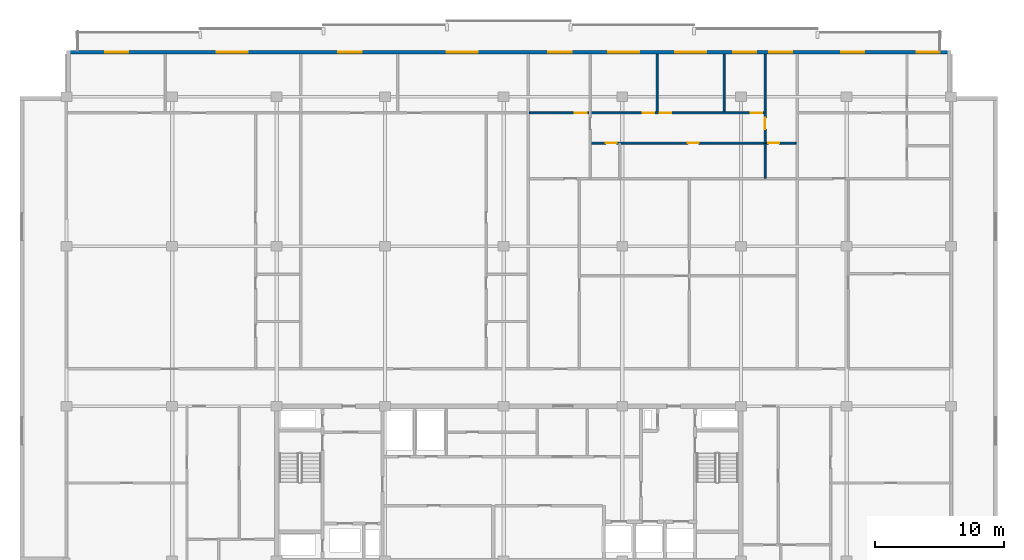
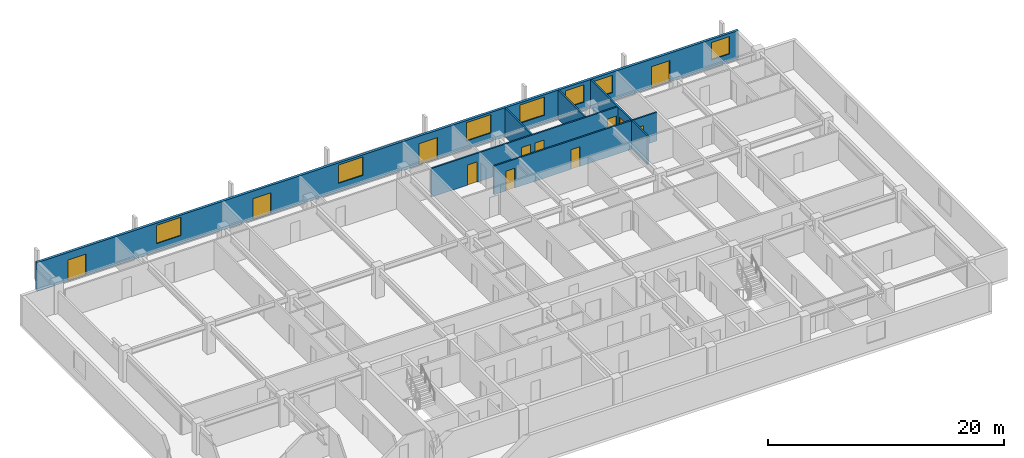
# One storey, part 15 of 22: 12 doors, 7 walls, 7 windows, 19 openings.
"""IFC4 building model written with IfcOpenShell, lengths in metres."""

from ifc_helpers import new_model, si_unit, direction, frame, frame_2d, origin, place, context, subcontext, project, spatial, rectangle, extrude, material, layer, layer_set, type_object, element, fill, save


model = new_model("IFC4")

# Units and contexts
model_context = context("Model", 3, precision=1e-05, world=origin(), true_north=direction((0.0, 1.0)))
body_context = subcontext(model_context, "Body", "Model", "MODEL_VIEW")
ifc_project = project(units=[si_unit("LENGTHUNIT", "METRE"), si_unit("AREAUNIT", "SQUARE_METRE"), si_unit("VOLUMEUNIT", "CUBIC_METRE"), si_unit("PLANEANGLEUNIT", "RADIAN"), si_unit("MASSUNIT", "GRAM", prefix="KILO")], contexts=[model_context])

# Site, building, storey
site_placement = place(None, origin())
site = spatial("IfcSite", under=ifc_project, at=site_placement, CompositionType="ELEMENT")
building_placement = place(site_placement, origin())
building = spatial("IfcBuilding", under=site, at=building_placement, Name="Korimba Cascade Residences", CompositionType="ELEMENT")
storey_placement = place(building_placement, frame((0.0, 0.0, 194.60009765625)))
storey = spatial("IfcBuildingStorey", under=building, at=storey_placement, Name="L56", CompositionType="ELEMENT", Elevation=194.60009765625)

# Wall, openings, doors, windows
ifc_material_1 = material(Name="Precast concrete C40/50", Category="concrete")
ifc_layer_1 = layer(ifc_material_1, 0.25)
ifc_layer_set_1 = layer_set([ifc_layer_1], Name="Precast concrete C40/50")
wall_type_1 = type_object("IfcWallType", Name="EW-LOG-250", PredefinedType="STANDARD", material=ifc_layer_set_1)
wall_1_placement = place(storey_placement, frame((128.39990234375, 94.64990234375, 0.0), z_axis=(0.0, 0.0, 1.0), x_axis=(-1.0, 0.0, 0.0)))
wall_1 = element("IfcWall", 1, at=wall_1_placement, inside=storey, type_object=wall_type_1, Name="L56 T1 Perimeter Stone Wall E06", PredefinedType="STANDARD", context=body_context, shape_type="SweptSolid", body=[
    extrude(rectangle(XDim=68.599853515625, YDim=0.25, at=frame_2d((34.2998046875, 0.0))), origin(), (0.0, 0.0, 1.0), 2.969970703125),
])
opening_1_placement = place(wall_1_placement, frame((63.807861328125, 0.0, 0.0)))
opening_1 = element("IfcOpeningElement", 2, at=opening_1_placement, cuts=wall_1, Name="Opening D-LG1", PredefinedType="OPENING", context=body_context, shape_type="SweptSolid", body=[
    extrude(rectangle(XDim=1.800048828125, YDim=2.199951171875, at=frame_2d((0.89990234375, 1.10009765625))), frame((0.0, 0.135009765625, 0.0), z_axis=(0.0, -1.0, 0.0), x_axis=(1.0, 0.0, 0.0)), (0.0, 0.0, 1.0), 0.27001953125),
])
opening_2_placement = place(wall_1_placement, frame((54.5439453125, 0.0, 0.85009765625)))
opening_2 = element("IfcOpeningElement", 3, at=opening_2_placement, cuts=wall_1, Name="Opening W-01", PredefinedType="OPENING", context=body_context, shape_type="SweptSolid", body=[
    extrude(rectangle(XDim=2.39990234375, YDim=1.89990234375, at=frame_2d((1.199951171875, 0.949951171875))), frame((0.0, 0.135009765625, 0.0), z_axis=(0.0, -1.0, 0.0), x_axis=(1.0, 0.0, 0.0)), (0.0, 0.0, 1.0), 0.27001953125),
])
opening_3_placement = place(wall_1_placement, frame((45.71337890625, 0.0, 0.0)))
opening_3 = element("IfcOpeningElement", 4, at=opening_3_placement, cuts=wall_1, Name="Opening D-LG1", PredefinedType="OPENING", context=body_context, shape_type="SweptSolid", body=[
    extrude(rectangle(XDim=1.800048828125, YDim=2.199951171875, at=frame_2d((0.89990234375, 1.10009765625))), frame((0.0, 0.135009765625, 0.0), z_axis=(0.0, -1.0, 0.0), x_axis=(1.0, 0.0, 0.0)), (0.0, 0.0, 1.0), 0.27001953125),
])
opening_4_placement = place(wall_1_placement, frame((36.7119140625, 0.0, 0.85009765625)))
opening_4 = element("IfcOpeningElement", 5, at=opening_4_placement, cuts=wall_1, Name="Opening W-01", PredefinedType="OPENING", context=body_context, shape_type="SweptSolid", body=[
    extrude(rectangle(XDim=2.39990234375, YDim=1.89990234375, at=frame_2d((1.199951171875, 0.949951171875))), frame((0.0, 0.135009765625, 0.0), z_axis=(0.0, -1.0, 0.0), x_axis=(1.0, 0.0, 0.0)), (0.0, 0.0, 1.0), 0.27001953125),
])
opening_5_placement = place(wall_1_placement, frame((24.198486328125, 0.0, 0.85009765625)))
opening_5 = element("IfcOpeningElement", 6, at=opening_5_placement, cuts=wall_1, Name="Opening W-01", PredefinedType="OPENING", context=body_context, shape_type="SweptSolid", body=[
    extrude(rectangle(XDim=2.39990234375, YDim=1.89990234375, at=frame_2d((1.199951171875, 0.949951171875))), frame((0.0, 0.135009765625, 0.0), z_axis=(0.0, -1.0, 0.0), x_axis=(1.0, 0.0, 0.0)), (0.0, 0.0, 1.0), 0.27001953125),
])
opening_6_placement = place(wall_1_placement, frame((18.99853515625, 0.0, 0.85009765625)))
opening_6 = element("IfcOpeningElement", 7, at=opening_6_placement, cuts=wall_1, Name="Opening W-01", PredefinedType="OPENING", context=body_context, shape_type="SweptSolid", body=[
    extrude(rectangle(XDim=2.39990234375, YDim=1.89990234375, at=frame_2d((1.199951171875, 0.949951171875))), frame((0.0, 0.135009765625, 0.0), z_axis=(0.0, -1.0, 0.0), x_axis=(1.0, 0.0, 0.0)), (0.0, 0.0, 1.0), 0.27001953125),
])
opening_7_placement = place(wall_1_placement, frame((15.109375, 0.0, 0.85009765625)))
opening_7 = element("IfcOpeningElement", 8, at=opening_7_placement, cuts=wall_1, Name="Opening W-02", PredefinedType="OPENING", context=body_context, shape_type="SweptSolid", body=[
    extrude(rectangle(XDim=1.800048828125, YDim=1.800048828125, at=frame_2d((0.89990234375, 0.89990234375))), frame((0.0, 0.135009765625, 0.0), z_axis=(0.0, -1.0, 0.0), x_axis=(1.0, 0.0, 0.0)), (0.0, 0.0, 1.0), 0.27001953125),
])
opening_8_placement = place(wall_1_placement, frame((29.43359375, 0.0, 0.0)))
opening_8 = element("IfcOpeningElement", 9, at=opening_8_placement, cuts=wall_1, Name="Opening D-LG1", PredefinedType="OPENING", context=body_context, shape_type="SweptSolid", body=[
    extrude(rectangle(XDim=1.800048828125, YDim=2.199951171875, at=frame_2d((0.89990234375, 1.10009765625))), frame((0.0, 0.135009765625, 0.0), z_axis=(0.0, -1.0, 0.0), x_axis=(1.0, 0.0, 0.0)), (0.0, 0.0, 1.0), 0.27001953125),
])
opening_9_placement = place(wall_1_placement, frame((12.31884765625, 0.0, 0.85009765625)))
opening_9 = element("IfcOpeningElement", 10, at=opening_9_placement, cuts=wall_1, Name="Opening W-02", PredefinedType="OPENING", context=body_context, shape_type="SweptSolid", body=[
    extrude(rectangle(XDim=1.800048828125, YDim=1.800048828125, at=frame_2d((0.89990234375, 0.89990234375))), frame((0.0, 0.135009765625, 0.0), z_axis=(0.0, -1.0, 0.0), x_axis=(1.0, 0.0, 0.0)), (0.0, 0.0, 1.0), 0.27001953125),
])
opening_10_placement = place(wall_1_placement, frame((6.723876953125, 0.0, 0.0)))
opening_10 = element("IfcOpeningElement", 11, at=opening_10_placement, cuts=wall_1, Name="Opening D-LG1", PredefinedType="OPENING", context=body_context, shape_type="SweptSolid", body=[
    extrude(rectangle(XDim=1.800048828125, YDim=2.199951171875, at=frame_2d((0.89990234375, 1.10009765625))), frame((0.0, 0.135009765625, 0.0), z_axis=(0.0, -1.0, 0.0), x_axis=(1.0, 0.0, 0.0)), (0.0, 0.0, 1.0), 0.27001953125),
])
opening_11_placement = place(wall_1_placement, frame((0.8701171875, 0.0, 0.85009765625)))
opening_11 = element("IfcOpeningElement", 12, at=opening_11_placement, cuts=wall_1, Name="Opening W-02", PredefinedType="OPENING", context=body_context, shape_type="SweptSolid", body=[
    extrude(rectangle(XDim=1.800048828125, YDim=1.800048828125, at=frame_2d((0.89990234375, 0.89990234375))), frame((0.0, 0.135009765625, 0.0), z_axis=(0.0, -1.0, 0.0), x_axis=(1.0, 0.0, 0.0)), (0.0, 0.0, 1.0), 0.27001953125),
])
ifc_material_2 = material(Name="Glazed Aluminium Loggia Sliding Door", Category="aluminium")
door_type_1 = type_object("IfcDoorType", Name="DR-EXT-LOG", OperationType="NOTDEFINED", PredefinedType="DOOR", material=ifc_material_2)
door_1_placement = place(opening_1_placement, origin())
door_1 = element("IfcDoor", 13, at=door_1_placement, inside=storey, type_object=door_type_1, Name="L56 T1 Loggia Sliding Door 3", OperationType="SLIDING_TO_LEFT", OverallHeight=2.199951171875, OverallWidth=1.800048828125, PredefinedType="DOOR", context=body_context, shape_type="SweptSolid", body=[
    extrude(rectangle(XDim=1.800048828125, YDim=2.199951171875, at=frame_2d((0.89990234375, 1.10009765625))), frame((0.0, 0.02490234375, 0.0), z_axis=(0.0, -1.0, 0.0), x_axis=(1.0, 0.0, 0.0)), (0.0, 0.0, 1.0), 0.050048828125),
])
fill(opening_1, door_1)
door_2_placement = place(opening_3_placement, origin())
door_2 = element("IfcDoor", 14, at=door_2_placement, inside=storey, type_object=door_type_1, Name="L56 T1 Loggia Sliding Door 5", OperationType="SLIDING_TO_LEFT", OverallHeight=2.199951171875, OverallWidth=1.800048828125, PredefinedType="DOOR", context=body_context, shape_type="SweptSolid", body=[
    extrude(rectangle(XDim=1.800048828125, YDim=2.199951171875, at=frame_2d((0.89990234375, 1.10009765625))), frame((0.0, 0.02490234375, 0.0), z_axis=(0.0, -1.0, 0.0), x_axis=(1.0, 0.0, 0.0)), (0.0, 0.0, 1.0), 0.050048828125),
])
fill(opening_3, door_2)
door_3_placement = place(opening_8_placement, origin())
door_3 = element("IfcDoor", 15, at=door_3_placement, inside=storey, type_object=door_type_1, Name="L56 T1 Loggia Sliding Door 10", OperationType="SLIDING_TO_LEFT", OverallHeight=2.199951171875, OverallWidth=1.800048828125, PredefinedType="DOOR", context=body_context, shape_type="SweptSolid", body=[
    extrude(rectangle(XDim=1.800048828125, YDim=2.199951171875, at=frame_2d((0.89990234375, 1.10009765625))), frame((0.0, 0.02490234375, 0.0), z_axis=(0.0, -1.0, 0.0), x_axis=(1.0, 0.0, 0.0)), (0.0, 0.0, 1.0), 0.050048828125),
])
fill(opening_8, door_3)
door_4_placement = place(opening_10_placement, origin())
door_4 = element("IfcDoor", 16, at=door_4_placement, inside=storey, type_object=door_type_1, Name="L56 T1 Loggia Sliding Door 12", OperationType="SLIDING_TO_LEFT", OverallHeight=2.199951171875, OverallWidth=1.800048828125, PredefinedType="DOOR", context=body_context, shape_type="SweptSolid", body=[
    extrude(rectangle(XDim=1.800048828125, YDim=2.199951171875, at=frame_2d((0.89990234375, 1.10009765625))), frame((0.0, 0.02490234375, 0.0), z_axis=(0.0, -1.0, 0.0), x_axis=(1.0, 0.0, 0.0)), (0.0, 0.0, 1.0), 0.050048828125),
])
fill(opening_10, door_4)
ifc_material_3 = material(Name="Double-Glazed Aluminium Window", Category="aluminium")
window_type_1 = type_object("IfcWindowType", Name="WIN-BED-1800", PartitioningType="SINGLE_PANEL", PredefinedType="WINDOW", material=ifc_material_3)
window_1_placement = place(opening_7_placement, origin())
window_1 = element("IfcWindow", 17, at=window_1_placement, inside=storey, type_object=window_type_1, Name="L56 T1 North Facade Window 9", OverallHeight=1.800048828125, OverallWidth=1.800048828125, PartitioningType="SINGLE_PANEL", PredefinedType="WINDOW", context=body_context, shape_type="SweptSolid", body=[
    extrude(rectangle(XDim=1.800048828125, YDim=1.800048828125, at=frame_2d((0.89990234375, 0.89990234375))), frame((0.0, 0.030029296875, 0.0), z_axis=(0.0, -1.0, 0.0), x_axis=(1.0, 0.0, 0.0)), (0.0, 0.0, 1.0), 0.06005859375),
])
fill(opening_7, window_1)
window_2_placement = place(opening_9_placement, origin())
window_2 = element("IfcWindow", 18, at=window_2_placement, inside=storey, type_object=window_type_1, Name="L56 T1 North Facade Window 11", OverallHeight=1.800048828125, OverallWidth=1.800048828125, PartitioningType="SINGLE_PANEL", PredefinedType="WINDOW", context=body_context, shape_type="SweptSolid", body=[
    extrude(rectangle(XDim=1.800048828125, YDim=1.800048828125, at=frame_2d((0.89990234375, 0.89990234375))), frame((0.0, 0.030029296875, 0.0), z_axis=(0.0, -1.0, 0.0), x_axis=(1.0, 0.0, 0.0)), (0.0, 0.0, 1.0), 0.06005859375),
])
fill(opening_9, window_2)
window_3_placement = place(opening_11_placement, origin())
window_3 = element("IfcWindow", 19, at=window_3_placement, inside=storey, type_object=window_type_1, Name="L56 T1 North Facade Window 13", OverallHeight=1.800048828125, OverallWidth=1.800048828125, PartitioningType="SINGLE_PANEL", PredefinedType="WINDOW", context=body_context, shape_type="SweptSolid", body=[
    extrude(rectangle(XDim=1.800048828125, YDim=1.800048828125, at=frame_2d((0.89990234375, 0.89990234375))), frame((0.0, 0.030029296875, 0.0), z_axis=(0.0, -1.0, 0.0), x_axis=(1.0, 0.0, 0.0)), (0.0, 0.0, 1.0), 0.06005859375),
])
fill(opening_11, window_3)
window_type_2 = type_object("IfcWindowType", Name="WIN-RES-2400", PartitioningType="DOUBLE_PANEL_VERTICAL", PredefinedType="WINDOW", material=ifc_material_3)
window_4_placement = place(opening_2_placement, origin())
window_4 = element("IfcWindow", 20, at=window_4_placement, inside=storey, type_object=window_type_2, Name="L56 T1 North Facade Window 4", OverallHeight=1.89990234375, OverallWidth=2.39990234375, PartitioningType="DOUBLE_PANEL_VERTICAL", PredefinedType="WINDOW", context=body_context, shape_type="SweptSolid", body=[
    extrude(rectangle(XDim=2.39990234375, YDim=1.89990234375, at=frame_2d((1.199951171875, 0.949951171875))), frame((0.0, 0.030029296875, 0.0), z_axis=(0.0, -1.0, 0.0), x_axis=(1.0, 0.0, 0.0)), (0.0, 0.0, 1.0), 0.06005859375),
])
fill(opening_2, window_4)
window_5_placement = place(opening_4_placement, origin())
window_5 = element("IfcWindow", 21, at=window_5_placement, inside=storey, type_object=window_type_2, Name="L56 T1 North Facade Window 6", OverallHeight=1.89990234375, OverallWidth=2.39990234375, PartitioningType="DOUBLE_PANEL_VERTICAL", PredefinedType="WINDOW", context=body_context, shape_type="SweptSolid", body=[
    extrude(rectangle(XDim=2.39990234375, YDim=1.89990234375, at=frame_2d((1.199951171875, 0.949951171875))), frame((0.0, 0.030029296875, 0.0), z_axis=(0.0, -1.0, 0.0), x_axis=(1.0, 0.0, 0.0)), (0.0, 0.0, 1.0), 0.06005859375),
])
fill(opening_4, window_5)
window_6_placement = place(opening_5_placement, origin())
window_6 = element("IfcWindow", 22, at=window_6_placement, inside=storey, type_object=window_type_2, Name="L56 T1 North Facade Window 7", OverallHeight=1.89990234375, OverallWidth=2.39990234375, PartitioningType="DOUBLE_PANEL_VERTICAL", PredefinedType="WINDOW", context=body_context, shape_type="SweptSolid", body=[
    extrude(rectangle(XDim=2.39990234375, YDim=1.89990234375, at=frame_2d((1.199951171875, 0.949951171875))), frame((0.0, 0.030029296875, 0.0), z_axis=(0.0, -1.0, 0.0), x_axis=(1.0, 0.0, 0.0)), (0.0, 0.0, 1.0), 0.06005859375),
])
fill(opening_5, window_6)
window_7_placement = place(opening_6_placement, origin())
window_7 = element("IfcWindow", 23, at=window_7_placement, inside=storey, type_object=window_type_2, Name="L56 T1 North Facade Window 8", OverallHeight=1.89990234375, OverallWidth=2.39990234375, PartitioningType="DOUBLE_PANEL_VERTICAL", PredefinedType="WINDOW", context=body_context, shape_type="SweptSolid", body=[
    extrude(rectangle(XDim=2.39990234375, YDim=1.89990234375, at=frame_2d((1.199951171875, 0.949951171875))), frame((0.0, 0.030029296875, 0.0), z_axis=(0.0, -1.0, 0.0), x_axis=(1.0, 0.0, 0.0)), (0.0, 0.0, 1.0), 0.06005859375),
])
fill(opening_6, window_7)

# Walls
ifc_material_4 = material(Name="Insulated Acoustic Stud Partition", Category="gypsum")
ifc_layer_2 = layer(ifc_material_4, 0.14990234375)
ifc_layer_set_2 = layer_set([ifc_layer_2], Name="Insulated Acoustic Stud Partition")
wall_type_2 = type_object("IfcWallType", Name="WAL-PART-150", PredefinedType="PARTITIONING", material=ifc_layer_set_2)
for number, where, z_axis, x_axis, name in (
    (24, (105.601318359375, 90.030029296875, 0.0), (0.0, 0.0, 1.0), (0.0, 1.0, 0.0), "L56 Partition Wall WAL-L56-T1-U03-VB2"),
    (25, (110.801513671875, 90.030029296875, 0.0), (0.0, 0.0, 1.0), (0.0, 1.0, 0.0), "L56 Partition Wall WAL-L56-T1-U03-VB3"),
):
    element("IfcWall", number, at=place(storey_placement, frame(where, z_axis=z_axis, x_axis=x_axis)), inside=storey, type_object=wall_type_2, Name=name, PredefinedType="PARTITIONING", context=body_context, shape_type="SweptSolid", body=[
        extrude(rectangle(XDim=4.469970703125, YDim=0.14990234375, at=frame_2d((2.23486328125, 0.0))), origin(), (0.0, 0.0, 1.0), 2.969970703125),
    ])
wall_2_placement = place(storey_placement, frame((113.97998046875, 84.889892578125, 0.0), z_axis=(0.0, 0.0, 1.0), x_axis=(0.0, 1.0, 0.0)))
element("IfcWall", 26, at=wall_2_placement, inside=storey, type_object=wall_type_2, Name="L56 Partition Wall WAL-L56-T1-U03-VBATH", PredefinedType="PARTITIONING", context=body_context, shape_type="SweptSolid", body=[
    extrude(rectangle(XDim=2.690185546875, YDim=0.14990234375, at=frame_2d((1.34521484375, 0.0))), origin(), (0.0, 0.0, 1.0), 2.969970703125),
])

# Wall, opening, door
wall_3_placement = place(storey_placement, frame((113.97998046875, 87.6201171875, 0.0), z_axis=(0.0, 0.0, 1.0), x_axis=(0.0, 1.0, 0.0)))
wall_3 = element("IfcWall", 27, at=wall_3_placement, inside=storey, type_object=wall_type_2, Name="L56 Partition Wall WAL-L56-T1-U03-V2FULL", PredefinedType="PARTITIONING", context=body_context, shape_type="SweptSolid", body=[
    extrude(rectangle(XDim=6.8798828125, YDim=0.14990234375, at=frame_2d((3.43994140625, 0.0))), origin(), (0.0, 0.0, 1.0), 2.969970703125),
])
opening_12_placement = place(wall_3_placement, frame((1.040283203125, 0.0, 0.0)))
opening_12 = element("IfcOpeningElement", 28, at=opening_12_placement, cuts=wall_3, Name="Opening D-IN1", PredefinedType="OPENING", context=body_context, shape_type="SweptSolid", body=[
    extrude(rectangle(XDim=0.919921875, YDim=2.080078125, at=frame_2d((0.4599609375, 1.0400390625))), frame((0.0, 0.0849609375, 0.0), z_axis=(0.0, -1.0, 0.0), x_axis=(1.0, 0.0, 0.0)), (0.0, 0.0, 1.0), 0.169921875),
])
ifc_material_5 = material(Name="Acoustic Timber Living Door", Category="wood")
door_type_2 = type_object("IfcDoorType", Name="DR-INT-920", OperationType="NOTDEFINED", PredefinedType="DOOR", material=ifc_material_5)
door_5_placement = place(opening_12_placement, origin())
door_5 = element("IfcDoor", 29, at=door_5_placement, inside=storey, type_object=door_type_2, Name="L56-T1-U03 Master Bedroom Door", OperationType="SINGLE_SWING_LEFT", OverallHeight=2.080078125, OverallWidth=0.919921875, PredefinedType="DOOR", context=body_context, shape_type="SweptSolid", body=[
    extrude(rectangle(XDim=0.919921875, YDim=2.080078125, at=frame_2d((0.4599609375, 1.0400390625))), frame((0.0, 0.02490234375, 0.0), z_axis=(0.0, -1.0, 0.0), x_axis=(1.0, 0.0, 0.0)), (0.0, 0.0, 1.0), 0.050048828125),
])
fill(opening_12, door_5)

# Wall, openings, doors
wall_4_placement = place(storey_placement, frame((100.44140625, 87.60009765625, 0.0), z_axis=(0.0, 0.0, 1.0), x_axis=(1.0, 0.0, 0.0)))
wall_4 = element("IfcWall", 30, at=wall_4_placement, inside=storey, type_object=wall_type_2, Name="L56 Partition Wall WAL-L56-T1-U03-HWALL", PredefinedType="PARTITIONING", context=body_context, shape_type="SweptSolid", body=[
    extrude(rectangle(XDim=15.930908203125, YDim=0.14990234375, at=frame_2d((7.96533203125, 0.0))), origin(), (0.0, 0.0, 1.0), 2.969970703125),
])
opening_13_placement = place(wall_4_placement, frame((1.19091796875, 0.0, 0.0)))
opening_13 = element("IfcOpeningElement", 31, at=opening_13_placement, cuts=wall_4, Name="Opening D-BT1", PredefinedType="OPENING", context=body_context, shape_type="SweptSolid", body=[
    extrude(rectangle(XDim=0.840087890625, YDim=2.0400390625, at=frame_2d((0.419921875, 1.02001953125))), frame((0.0, 0.0849609375, 0.0), z_axis=(0.0, -1.0, 0.0), x_axis=(1.0, 0.0, 0.0)), (0.0, 0.0, 1.0), 0.169921875),
])
opening_14_placement = place(wall_4_placement, frame((7.54541015625, 0.0, 0.0)))
opening_14 = element("IfcOpeningElement", 32, at=opening_14_placement, cuts=wall_4, Name="Opening D-BT1", PredefinedType="OPENING", context=body_context, shape_type="SweptSolid", body=[
    extrude(rectangle(XDim=0.840087890625, YDim=2.0400390625, at=frame_2d((0.419921875, 1.02001953125))), frame((0.0, 0.0849609375, 0.0), z_axis=(0.0, -1.0, 0.0), x_axis=(1.0, 0.0, 0.0)), (0.0, 0.0, 1.0), 0.169921875),
])
opening_15_placement = place(wall_4_placement, frame((13.78857421875, 0.0, 0.0)))
opening_15 = element("IfcOpeningElement", 33, at=opening_15_placement, cuts=wall_4, Name="Opening D-BT1", PredefinedType="OPENING", context=body_context, shape_type="SweptSolid", body=[
    extrude(rectangle(XDim=0.840087890625, YDim=2.0400390625, at=frame_2d((0.419921875, 1.02001953125))), frame((0.0, 0.0849609375, 0.0), z_axis=(0.0, -1.0, 0.0), x_axis=(1.0, 0.0, 0.0)), (0.0, 0.0, 1.0), 0.169921875),
])
ifc_material_6 = material(Name="Moisture-Resistant Bathroom Timber Door", Category="wood")
door_type_3 = type_object("IfcDoorType", Name="DR-INT-850", OperationType="NOTDEFINED", PredefinedType="DOOR", material=ifc_material_6)
door_6_placement = place(opening_13_placement, origin())
door_6 = element("IfcDoor", 34, at=door_6_placement, inside=storey, type_object=door_type_3, Name="L56-T1-U03 Family Bathroom Door", OperationType="SINGLE_SWING_RIGHT", OverallHeight=2.0400390625, OverallWidth=0.840087890625, PredefinedType="DOOR", context=body_context, shape_type="SweptSolid", body=[
    extrude(rectangle(XDim=0.840087890625, YDim=2.0400390625, at=frame_2d((0.419921875, 1.02001953125))), frame((0.0, 0.02490234375, 0.0), z_axis=(0.0, -1.0, 0.0), x_axis=(1.0, 0.0, 0.0)), (0.0, 0.0, 1.0), 0.050048828125),
])
fill(opening_13, door_6)
door_7_placement = place(opening_14_placement, origin())
door_7 = element("IfcDoor", 35, at=door_7_placement, inside=storey, type_object=door_type_3, Name="L56-T1-U03 Dressing Room Door", OperationType="SINGLE_SWING_LEFT", OverallHeight=2.0400390625, OverallWidth=0.840087890625, PredefinedType="DOOR", context=body_context, shape_type="SweptSolid", body=[
    extrude(rectangle(XDim=0.840087890625, YDim=2.0400390625, at=frame_2d((0.419921875, 1.02001953125))), frame((0.0, 0.02490234375, 0.0), z_axis=(0.0, -1.0, 0.0), x_axis=(1.0, 0.0, 0.0)), (0.0, 0.0, 1.0), 0.050048828125),
])
fill(opening_14, door_7)
door_8_placement = place(opening_15_placement, origin())
door_8 = element("IfcDoor", 36, at=door_8_placement, inside=storey, type_object=door_type_3, Name="L56-T1-U03 En-Suite Door", OperationType="SINGLE_SWING_RIGHT", OverallHeight=2.0400390625, OverallWidth=0.840087890625, PredefinedType="DOOR", context=body_context, shape_type="SweptSolid", body=[
    extrude(rectangle(XDim=0.840087890625, YDim=2.0400390625, at=frame_2d((0.419921875, 1.02001953125))), frame((0.0, 0.02490234375, 0.0), z_axis=(0.0, -1.0, 0.0), x_axis=(1.0, 0.0, 0.0)), (0.0, 0.0, 1.0), 0.050048828125),
])
fill(opening_15, door_8)

wall_5_placement = place(storey_placement, frame((95.69140625, 89.949951171875, 0.0), z_axis=(0.0, 0.0, 1.0), x_axis=(1.0, 0.0, 0.0)))
wall_5 = element("IfcWall", 37, at=wall_5_placement, inside=storey, type_object=wall_type_2, Name="L56 Partition Wall WAL-L56-T1-U03-HZ", PredefinedType="PARTITIONING", context=body_context, shape_type="SweptSolid", body=[
    extrude(rectangle(XDim=18.28857421875, YDim=0.14990234375, at=frame_2d((9.144287109375, 0.0))), origin(), (0.0, 0.0, 1.0), 2.969970703125),
])
opening_16_placement = place(wall_5_placement, frame((3.52001953125, 0.0, 0.0)))
opening_16 = element("IfcOpeningElement", 38, at=opening_16_placement, cuts=wall_5, Name="Opening D-IN0", PredefinedType="OPENING", context=body_context, shape_type="SweptSolid", body=[
    extrude(rectangle(XDim=0.93994140625, YDim=2.10009765625, at=frame_2d((0.469970703125, 1.050048828125))), frame((0.0, 0.0849609375, 0.0), z_axis=(0.0, -1.0, 0.0), x_axis=(1.0, 0.0, 0.0)), (0.0, 0.0, 1.0), 0.169921875),
])
opening_17_placement = place(wall_5_placement, frame((8.81005859375, 0.0, 0.0)))
opening_17 = element("IfcOpeningElement", 39, at=opening_17_placement, cuts=wall_5, Name="Opening D-IN2", PredefinedType="OPENING", context=body_context, shape_type="SweptSolid", body=[
    extrude(rectangle(XDim=0.8798828125, YDim=2.06005859375, at=frame_2d((0.43994140625, 1.030029296875))), frame((0.0, 0.0849609375, 0.0), z_axis=(0.0, -1.0, 0.0), x_axis=(1.0, 0.0, 0.0)), (0.0, 0.0, 1.0), 0.169921875),
])
opening_18_placement = place(wall_5_placement, frame((10.1298828125, 0.0, 0.0)))
opening_18 = element("IfcOpeningElement", 40, at=opening_18_placement, cuts=wall_5, Name="Opening D-IN2", PredefinedType="OPENING", context=body_context, shape_type="SweptSolid", body=[
    extrude(rectangle(XDim=0.8798828125, YDim=2.06005859375, at=frame_2d((0.43994140625, 1.030029296875))), frame((0.0, 0.0849609375, 0.0), z_axis=(0.0, -1.0, 0.0), x_axis=(1.0, 0.0, 0.0)), (0.0, 0.0, 1.0), 0.169921875),
])
opening_19_placement = place(wall_5_placement, frame((17.188720703125, 0.0, 0.0)))
opening_19 = element("IfcOpeningElement", 41, at=opening_19_placement, cuts=wall_5, Name="Opening D-IN2", PredefinedType="OPENING", context=body_context, shape_type="SweptSolid", body=[
    extrude(rectangle(XDim=0.8798828125, YDim=2.06005859375, at=frame_2d((0.43994140625, 1.030029296875))), frame((0.0, 0.0849609375, 0.0), z_axis=(0.0, -1.0, 0.0), x_axis=(1.0, 0.0, 0.0)), (0.0, 0.0, 1.0), 0.169921875),
])
ifc_material_7 = material(Name="Acoustic Timber Bedroom Door", Category="wood")
door_type_4 = type_object("IfcDoorType", Name="DR-INT-880", OperationType="NOTDEFINED", PredefinedType="DOOR", material=ifc_material_7)
door_9_placement = place(opening_17_placement, origin())
door_9 = element("IfcDoor", 42, at=door_9_placement, inside=storey, type_object=door_type_4, Name="L56-T1-U03 Bedroom 2 Door", OperationType="SINGLE_SWING_LEFT", OverallHeight=2.06005859375, OverallWidth=0.8798828125, PredefinedType="DOOR", context=body_context, shape_type="SweptSolid", body=[
    extrude(rectangle(XDim=0.8798828125, YDim=2.06005859375, at=frame_2d((0.43994140625, 1.030029296875))), frame((0.0, 0.02490234375, 0.0), z_axis=(0.0, -1.0, 0.0), x_axis=(1.0, 0.0, 0.0)), (0.0, 0.0, 1.0), 0.050048828125),
])
fill(opening_17, door_9)
door_10_placement = place(opening_18_placement, origin())
door_10 = element("IfcDoor", 43, at=door_10_placement, inside=storey, type_object=door_type_4, Name="L56-T1-U03 Bedroom 3 Door", OperationType="SINGLE_SWING_RIGHT", OverallHeight=2.06005859375, OverallWidth=0.8798828125, PredefinedType="DOOR", context=body_context, shape_type="SweptSolid", body=[
    extrude(rectangle(XDim=0.8798828125, YDim=2.06005859375, at=frame_2d((0.43994140625, 1.030029296875))), frame((0.0, 0.02490234375, 0.0), z_axis=(0.0, -1.0, 0.0), x_axis=(1.0, 0.0, 0.0)), (0.0, 0.0, 1.0), 0.050048828125),
])
fill(opening_18, door_10)
door_11_placement = place(opening_19_placement, origin())
door_11 = element("IfcDoor", 44, at=door_11_placement, inside=storey, type_object=door_type_4, Name="L56-T1-U03 Study Door", OperationType="SINGLE_SWING_LEFT", OverallHeight=2.06005859375, OverallWidth=0.8798828125, PredefinedType="DOOR", context=body_context, shape_type="SweptSolid", body=[
    extrude(rectangle(XDim=0.8798828125, YDim=2.06005859375, at=frame_2d((0.43994140625, 1.030029296875))), frame((0.0, 0.02490234375, 0.0), z_axis=(0.0, -1.0, 0.0), x_axis=(1.0, 0.0, 0.0)), (0.0, 0.0, 1.0), 0.050048828125),
])
fill(opening_19, door_11)
ifc_material_8 = material(Name="Acoustic Timber Living Archway Door", Category="wood")
door_type_5 = type_object("IfcDoorType", Name="DR-INT-950", OperationType="NOTDEFINED", PredefinedType="DOOR", material=ifc_material_8)
door_12_placement = place(opening_16_placement, origin())
door_12 = element("IfcDoor", 45, at=door_12_placement, inside=storey, type_object=door_type_5, Name="L56-T1-U03 Living Room Door", OperationType="SINGLE_SWING_RIGHT", OverallHeight=2.10009765625, OverallWidth=0.93994140625, PredefinedType="DOOR", context=body_context, shape_type="SweptSolid", body=[
    extrude(rectangle(XDim=0.93994140625, YDim=2.10009765625, at=frame_2d((0.469970703125, 1.050048828125))), frame((0.0, 0.02490234375, 0.0), z_axis=(0.0, -1.0, 0.0), x_axis=(1.0, 0.0, 0.0)), (0.0, 0.0, 1.0), 0.050048828125),
])
fill(opening_16, door_12)

save(model, "model.ifc")
